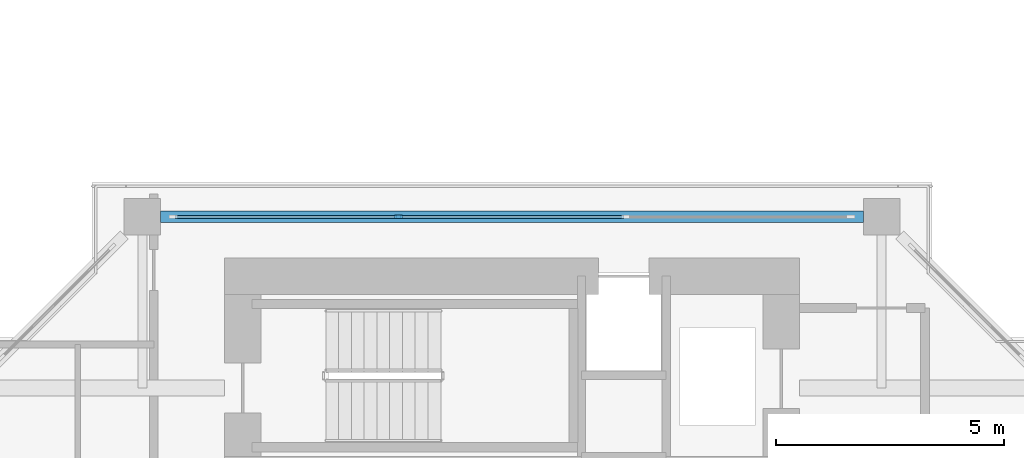
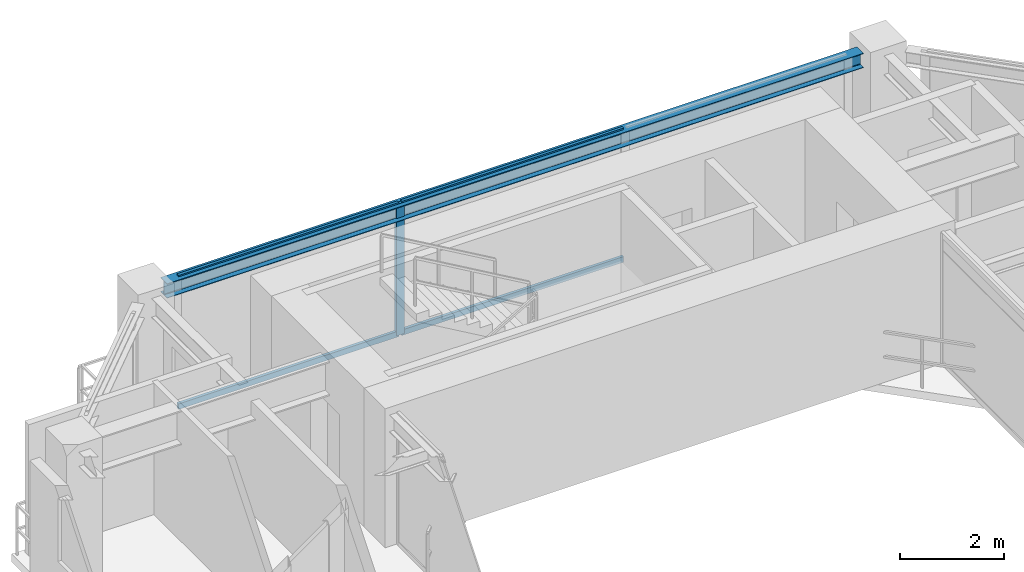
# One storey, part 9 of 23: 5 members, 1 beam, 1 element without a shape of its own.
"""IFC4 building model written with IfcOpenShell, lengths in metres."""

from ifc_helpers import new_model, si_unit, direction, frame, origin, origin_2d, place, context, subcontext, project, spatial, rectangle, i_section, extrude, source, transform, mapped, material, layer, layer_set, material_profile, profile_set, type_object, element, aggregate, save


model = new_model("IFC4")

# Units and contexts
model_context = context("Model", 3, precision=1e-05, world=origin(), true_north=direction((0.0, 1.0)))
body_context = subcontext(model_context, "Body", "Model", "MODEL_VIEW")
ifc_project = project(units=[si_unit("LENGTHUNIT", "METRE"), si_unit("AREAUNIT", "SQUARE_METRE"), si_unit("VOLUMEUNIT", "CUBIC_METRE"), si_unit("PLANEANGLEUNIT", "RADIAN"), si_unit("MASSUNIT", "GRAM", prefix="KILO"), si_unit("THERMODYNAMICTEMPERATUREUNIT", "KELVIN"), si_unit("POWERUNIT", "WATT")], contexts=[model_context])

# Site, building, storey
site_placement = place(None, origin())
site = spatial("IfcSite", under=ifc_project, at=site_placement, CompositionType="ELEMENT")
building_placement = place(site_placement, origin())
building = spatial("IfcBuilding", under=site, at=building_placement, Name="Qiaomeng Ring Towers", CompositionType="ELEMENT")
storey_placement = place(building_placement, frame((0.0, 0.0, 79.5)))
storey = spatial("IfcBuildingStorey", under=building, at=storey_placement, Name="L22", CompositionType="ELEMENT", Elevation=79.5)

# Beam
ifc_material_1 = material(Name="Steel Q355B", Category="steel")
ifc_material_profile_1 = material_profile(ifc_material_1, i_section(OverallWidth=0.25, OverallDepth=0.340087890625, WebThickness=0.009033203125, FlangeThickness=0.013916015625, FilletRadius=0.02001953125, at=origin_2d()), Name="HM 340x250x9x14")
ifc_profile_set_1 = profile_set([ifc_material_profile_1], Name="Steel Q355B")
beam_type = type_object("IfcBeamType", Name="STR-BM-HM340", PredefinedType="SPANDREL", material=ifc_profile_set_1)
shared_shape_1 = source(origin(), body_context, "Body", "SweptSolid", [
    extrude(i_section(OverallWidth=0.25, OverallDepth=0.340087890625, WebThickness=0.009033203125, FlangeThickness=0.013916015625, FilletRadius=0.02001953125, at=origin_2d()), origin(), (0.0, 0.0, 1.0), 15.40185546875),
])
beam_placement = place(storey_placement, frame((68.200927734375, 34.85009765625, 2.89990234375), z_axis=(-1.0, 0.0, 0.0), x_axis=(0.0, -1.0, 0.0)))
element("IfcBeam", 1, at=beam_placement, inside=storey, type_object=beam_type, Name="L22 beam STR-SP-L22-T2-N2-N1", PredefinedType="SPANDREL", context=body_context, shape_type="MappedRepresentation", body=[
    mapped(shared_shape_1, transform((0.0, 0.0, 0.0), x_axis=(1.0, 0.0, 0.0), y_axis=(0.0, 1.0, 0.0), z_axis=(0.0, 0.0, 1.0), scale=1.0)),
])

# Curtain wall, members
ifc_material_2 = material(Name="Fluorocarbon dark-grey aluminium", Category="aluminium")
ifc_layer = layer(ifc_material_2, 0.14990234375, Name="Fluorocarbon dark-grey aluminium")
ifc_layer_set = layer_set([ifc_layer], Name="Fluorocarbon dark-grey aluminium")
curtain_wall_type = type_object("IfcCurtainWallType", Name="ARC-CW-5", PredefinedType="NOTDEFINED", material=ifc_layer_set)
curtain_wall_placement = place(storey_placement, origin())
curtain_wall = element("IfcCurtainWall", 2, at=curtain_wall_placement, inside=storey, type_object=curtain_wall_type, Name="L22 Curtain Wall CW5", PredefinedType="NOTDEFINED")
ifc_material_profile_2 = material_profile(ifc_material_2, rectangle(XDim=0.070068359375, YDim=0.179931640625, at=origin_2d()), Name="ALU MULL 70x180")
ifc_profile_set_2 = profile_set([ifc_material_profile_2], Name="Fluorocarbon dark-grey aluminium")
member_type_1 = type_object("IfcMemberType", Name="ARC-CWM-160", PredefinedType="MULLION", material=ifc_profile_set_2)
shared_shape_2 = source(origin(), body_context, "Body", "SweptSolid", [
    extrude(rectangle(XDim=0.070068359375, YDim=0.179931640625, at=origin_2d()), origin(), (0.0, 0.0, 1.0), 3.070068359375),
])
member_1_placement = place(storey_placement, frame((58.013427734375, 34.85009765625, 0.0), z_axis=(0.0, 0.0, 1.0), x_axis=(0.0, 1.0, 0.0)))
member_1 = element("IfcMember", 3, at=member_1_placement, type_object=member_type_1, Name="CW5 mullion 2", PredefinedType="MULLION", context=body_context, shape_type="MappedRepresentation", body=[
    mapped(shared_shape_2, transform((0.0, 0.0, 0.0), x_axis=(1.0, 0.0, 0.0), y_axis=(0.0, 1.0, 0.0), z_axis=(0.0, 0.0, 1.0), scale=1.0)),
])
ifc_material_profile_3 = material_profile(ifc_material_2, rectangle(XDim=0.06494140625, YDim=0.1298828125, at=origin_2d()), Name="ALU TRAN 65x130")
ifc_profile_set_3 = profile_set([ifc_material_profile_3], Name="Fluorocarbon dark-grey aluminium")
member_type_2 = type_object("IfcMemberType", Name="ARC-CWT-120", PredefinedType="USERDEFINED", material=ifc_profile_set_3)
shared_shape_3 = source(origin(), body_context, "Body", "SweptSolid", [
    extrude(rectangle(XDim=0.06494140625, YDim=0.1298828125, at=origin_2d()), origin(), (0.0, 0.0, 1.0), 4.8681640625),
])
member_2_placement = place(storey_placement, frame((53.110107421875, 34.85009765625, 0.032470703125), z_axis=(1.0, 0.0, 0.0), x_axis=(0.0, 1.0, 0.0)))
member_2 = element("IfcMember", 4, at=member_2_placement, type_object=member_type_2, Name="CW5 transom 1.1", ObjectType="TRANSOM", PredefinedType="USERDEFINED", context=body_context, shape_type="MappedRepresentation", body=[
    mapped(shared_shape_3, transform((0.0, 0.0, 0.0), x_axis=(1.0, 0.0, 0.0), y_axis=(0.0, 1.0, 0.0), z_axis=(0.0, 0.0, 1.0), scale=1.0)),
])
member_3_placement = place(storey_placement, frame((53.110107421875, 34.85009765625, 3.03759765625), z_axis=(1.0, 0.0, 0.0), x_axis=(0.0, 1.0, 0.0)))
member_3 = element("IfcMember", 5, at=member_3_placement, type_object=member_type_2, Name="CW5 transom 1.2", ObjectType="TRANSOM", PredefinedType="USERDEFINED", context=body_context, shape_type="MappedRepresentation", body=[
    mapped(shared_shape_3, transform((0.0, 0.0, 0.0), x_axis=(1.0, 0.0, 0.0), y_axis=(0.0, 1.0, 0.0), z_axis=(0.0, 0.0, 1.0), scale=1.0)),
])
shared_shape_4 = source(origin(), body_context, "Body", "SweptSolid", [
    extrude(rectangle(XDim=0.06494140625, YDim=0.1298828125, at=origin_2d()), origin(), (0.0, 0.0, 1.0), 4.9033203125),
])
member_4_placement = place(storey_placement, frame((58.04833984375, 34.85009765625, 0.032470703125), z_axis=(1.0, 0.0, 0.0), x_axis=(0.0, 1.0, 0.0)))
member_4 = element("IfcMember", 6, at=member_4_placement, type_object=member_type_2, Name="CW5 transom 2.1", ObjectType="TRANSOM", PredefinedType="USERDEFINED", context=body_context, shape_type="MappedRepresentation", body=[
    mapped(shared_shape_4, transform((0.0, 0.0, 0.0), x_axis=(1.0, 0.0, 0.0), y_axis=(0.0, 1.0, 0.0), z_axis=(0.0, 0.0, 1.0), scale=1.0)),
])
member_5_placement = place(storey_placement, frame((58.04833984375, 34.85009765625, 3.03759765625), z_axis=(1.0, 0.0, 0.0), x_axis=(0.0, 1.0, 0.0)))
member_5 = element("IfcMember", 7, at=member_5_placement, type_object=member_type_2, Name="CW5 transom 2.2", ObjectType="TRANSOM", PredefinedType="USERDEFINED", context=body_context, shape_type="MappedRepresentation", body=[
    mapped(shared_shape_4, transform((0.0, 0.0, 0.0), x_axis=(1.0, 0.0, 0.0), y_axis=(0.0, 1.0, 0.0), z_axis=(0.0, 0.0, 1.0), scale=1.0)),
])
aggregate(curtain_wall, [member_1, member_2, member_3, member_4, member_5])

save(model, "model.ifc")
